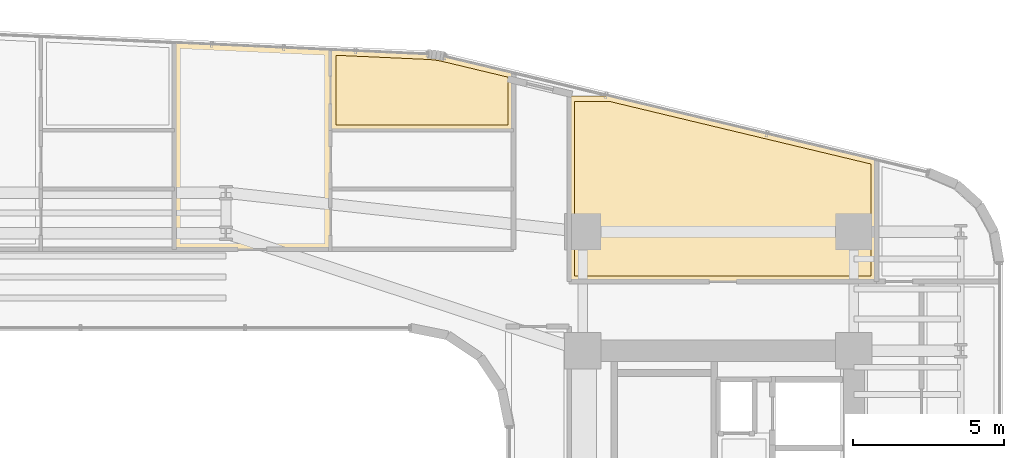
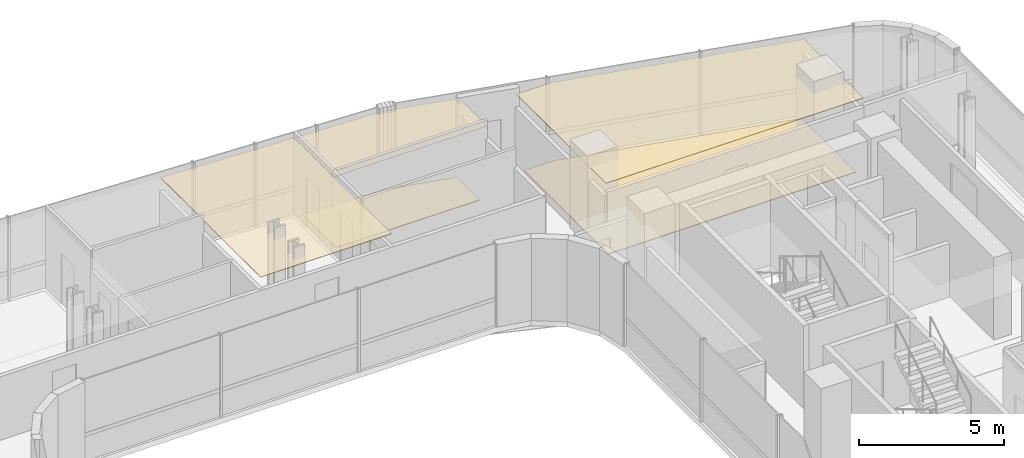
# One storey, part 38 of 38: 5 coverings.
"""IFC4 building model written with IfcOpenShell, lengths in metres."""

from ifc_helpers import new_model, si_unit, direction, frame, origin, place, context, subcontext, project, spatial, polyline, outline, extrude, material, layer, layer_set, type_object, element, save


model = new_model("IFC4")

# Units and contexts
model_context = context("Model", 3, precision=1e-05, world=origin(), true_north=direction((0.0, 1.0)))
body_context = subcontext(model_context, "Body", "Model", "MODEL_VIEW")
ifc_project = project(units=[si_unit("LENGTHUNIT", "METRE"), si_unit("AREAUNIT", "SQUARE_METRE"), si_unit("VOLUMEUNIT", "CUBIC_METRE"), si_unit("PLANEANGLEUNIT", "RADIAN"), si_unit("MASSUNIT", "GRAM", prefix="KILO")], contexts=[model_context])

# Site, building, storey
site_placement = place(None, origin())
site = spatial("IfcSite", under=ifc_project, at=site_placement, CompositionType="ELEMENT")
building_placement = place(site_placement, origin())
building = spatial("IfcBuilding", under=site, at=building_placement, Name="Valdorenza Pilgrim Sanctuary Tower", CompositionType="ELEMENT")
storey_placement = place(building_placement, frame((0.0, 0.0, 131.60009765625)))
storey = spatial("IfcBuildingStorey", under=building, at=storey_placement, Name="L33", CompositionType="ELEMENT", Elevation=131.60009765625)

# Coverings
ifc_material_1 = material(Name="Micro-perforated acoustic mineral ceiling tile", Category="gypsum")
ifc_layer_1 = layer(ifc_material_1, 0.02490234375, Name="Micro-perforated acoustic mineral ceiling tile")
ifc_layer_set_1 = layer_set([ifc_layer_1], Name="Micro-perforated acoustic mineral ceiling tile")
covering_type_1 = type_object("IfcCoveringType", Name="COV-CLG-ACU", PredefinedType="CEILING", material=ifc_layer_set_1)
covering_1_placement = place(storey_placement, frame((0.0, 0.0, 3.159912109375)))
element("IfcCovering", 1, at=covering_1_placement, inside=storey, type_object=covering_type_1, Name="L33 North Sanctuary Apartment L33-N4 Bedroom Acoustic Ceiling", PredefinedType="CEILING", context=body_context, shape_type="SweptSolid", body=[
    extrude(outline(polyline([(7.468017578125, 16.85498046875), (7.466552734375, 16.85498046875), (7.465087890625, 16.855224609375), (7.463623046875, 16.855712890625), (7.46240234375, 16.856201171875), (7.4609375, 16.856689453125), (7.459716796875, 16.857421875), (7.45849609375, 16.8583984375), (7.45751953125, 16.859375), (7.456298828125, 16.860595703125), (7.45556640625, 16.86181640625), (7.454833984375, 16.86279296875), (7.4541015625, 16.8642578125), (7.45361328125, 16.865478515625), (7.453369140625, 16.8671875), (7.453125, 16.868408203125), (7.452880859375, 16.8701171875), (7.452880859375, 19.55029296875), (7.453125, 19.552001953125), (7.453369140625, 19.553466796875), (7.45361328125, 19.554931640625), (7.4541015625, 19.556396484375), (7.454833984375, 19.5576171875), (7.455810546875, 19.55908203125), (7.45654296875, 19.560302734375), (7.45751953125, 19.561279296875), (7.458740234375, 19.562255859375), (7.4599609375, 19.56298828125), (7.461181640625, 19.56396484375), (7.462646484375, 19.564453125), (7.464111328125, 19.56494140625), (7.4658203125, 19.565185546875), (7.46728515625, 19.5654296875), (7.46875, 19.5654296875), (10.690673828125, 19.4189453125), (10.69091796875, 19.4189453125), (10.838134765625, 19.40869140625), (10.8388671875, 19.40869140625), (10.984375, 19.3916015625), (10.985107421875, 19.3916015625), (11.12939453125, 19.36767578125), (11.130126953125, 19.36767578125), (11.274658203125, 19.336669921875), (11.27490234375, 19.33642578125), (13.553466796875, 18.791015625), (13.554931640625, 18.790771484375), (13.55615234375, 18.790283203125), (13.5576171875, 18.78955078125), (13.55859375, 18.788818359375), (13.559814453125, 18.787841796875), (13.560791015625, 18.786865234375), (13.561767578125, 18.785888671875), (13.5625, 18.78466796875), (13.563232421875, 18.783447265625), (13.56396484375, 18.781982421875), (13.564453125, 18.78076171875), (13.564697265625, 18.779296875), (13.56494140625, 18.778076171875), (13.56494140625, 18.776611328125), (13.56494140625, 16.8701171875), (13.56494140625, 16.868408203125), (13.564697265625, 16.8671875), (13.564453125, 16.865478515625), (13.56396484375, 16.8642578125), (13.563232421875, 16.86279296875), (13.5625, 16.86181640625), (13.5615234375, 16.860595703125), (13.560546875, 16.859375), (13.5595703125, 16.8583984375), (13.558349609375, 16.857421875), (13.55712890625, 16.856689453125), (13.5556640625, 16.856201171875), (13.554443359375, 16.855712890625), (13.552978515625, 16.855224609375), (13.551513671875, 16.85498046875), (13.550048828125, 16.85498046875), (7.468017578125, 16.85498046875)])), origin(), (0.0, 0.0, 1.0), 0.02490234375),
])
covering_2_placement = place(storey_placement, frame((0.0, 0.0, 3.159912109375)))
element("IfcCovering", 2, at=covering_2_placement, inside=storey, type_object=covering_type_1, Name="L33 North Sanctuary Apartment L33-N4 Living Room Acoustic Ceiling", PredefinedType="CEILING", context=body_context, shape_type="SweptSolid", body=[
    extrude(outline(polyline([(2.27392578125, 14.918212890625), (2.27392578125, 14.9189453125), (2.273681640625, 14.92041015625), (2.273681640625, 14.922119140625), (2.27392578125, 14.923583984375), (2.27392578125, 14.923828125), (2.27392578125, 16.8662109375), (2.27392578125, 16.866943359375), (2.273681640625, 16.868408203125), (2.273681640625, 16.8701171875), (2.27392578125, 16.87158203125), (2.27392578125, 16.871826171875), (2.27392578125, 19.785888671875), (2.274169921875, 19.787353515625), (2.2744140625, 19.788818359375), (2.274658203125, 19.790283203125), (2.275146484375, 19.791748046875), (2.27587890625, 19.793212890625), (2.276611328125, 19.79443359375), (2.277587890625, 19.795654296875), (2.278564453125, 19.796630859375), (2.27978515625, 19.797607421875), (2.281005859375, 19.798583984375), (2.2822265625, 19.79931640625), (2.28369140625, 19.7998046875), (2.28515625, 19.80029296875), (2.28662109375, 19.800537109375), (2.2880859375, 19.80078125), (2.289794921875, 19.80078125), (7.466796875, 19.5654296875), (7.468017578125, 19.5654296875), (7.469482421875, 19.565185546875), (7.470947265625, 19.564697265625), (7.47216796875, 19.564208984375), (7.473388671875, 19.5634765625), (7.474609375, 19.562744140625), (7.475830078125, 19.56201171875), (7.476806640625, 19.560791015625), (7.477783203125, 19.559814453125), (7.478515625, 19.55859375), (7.479248046875, 19.557373046875), (7.47998046875, 19.55615234375), (7.48046875, 19.5546875), (7.480712890625, 19.553466796875), (7.48095703125, 19.552001953125), (7.48095703125, 19.550537109375), (7.48095703125, 16.87548828125), (7.481201171875, 16.875), (7.48193359375, 16.87353515625), (7.482421875, 16.872314453125), (7.482666015625, 16.870849609375), (7.48291015625, 16.869384765625), (7.48291015625, 16.867919921875), (7.48291015625, 12.919921875), (7.48291015625, 12.91845703125), (7.482666015625, 12.9169921875), (7.482421875, 12.91552734375), (7.48193359375, 12.914306640625), (7.481201171875, 12.912841796875), (7.48046875, 12.91162109375), (7.4794921875, 12.910400390625), (7.478515625, 12.909423828125), (7.4775390625, 12.908447265625), (7.476318359375, 12.907470703125), (7.47509765625, 12.90673828125), (7.4736328125, 12.906005859375), (7.472412109375, 12.905517578125), (7.470947265625, 12.9052734375), (7.469482421875, 12.905029296875), (7.468017578125, 12.905029296875), (2.2890625, 12.905029296875), (2.28759765625, 12.905029296875), (2.2861328125, 12.9052734375), (2.28466796875, 12.905517578125), (2.283203125, 12.906005859375), (2.281982421875, 12.90673828125), (2.28076171875, 12.907470703125), (2.279541015625, 12.908447265625), (2.2783203125, 12.909423828125), (2.27734375, 12.910400390625), (2.276611328125, 12.91162109375), (2.27587890625, 12.912841796875), (2.275146484375, 12.914306640625), (2.274658203125, 12.91552734375), (2.2744140625, 12.9169921875), (2.274169921875, 12.91845703125), (2.27392578125, 12.919921875), (2.27392578125, 14.918212890625)])), origin(), (0.0, 0.0, 1.0), 0.02490234375),
])
covering_3_placement = place(storey_placement, frame((0.0, 0.0, 3.159912109375)))
element("IfcCovering", 3, at=covering_3_placement, inside=storey, type_object=covering_type_1, Name="L33 Curator Research Office L33-BN1 Acoustic Ceiling", PredefinedType="CEILING", context=body_context, shape_type="SweptSolid", body=[
    extrude(outline(polyline([(15.39990234375, 11.8349609375), (15.3984375, 11.835205078125), (15.397216796875, 11.835205078125), (15.3955078125, 11.835693359375), (15.394287109375, 11.836181640625), (15.392822265625, 11.8369140625), (15.3916015625, 11.83740234375), (15.390380859375, 11.83837890625), (15.389404296875, 11.83935546875), (15.388427734375, 11.840576171875), (15.387451171875, 11.841796875), (15.38671875, 11.843017578125), (15.385986328125, 11.84423828125), (15.385498046875, 11.845703125), (15.38525390625, 11.84716796875), (15.385009765625, 11.848388671875), (15.385009765625, 11.85009765625), (15.385009765625, 18.0), (15.385009765625, 18.00146484375), (15.38525390625, 18.0029296875), (15.385498046875, 18.00439453125), (15.385986328125, 18.005615234375), (15.38671875, 18.007080078125), (15.387451171875, 18.00830078125), (15.388427734375, 18.009521484375), (15.389404296875, 18.010498046875), (15.390380859375, 18.01171875), (15.3916015625, 18.012451171875), (15.392822265625, 18.01318359375), (15.394287109375, 18.013916015625), (15.3955078125, 18.014404296875), (15.397216796875, 18.0146484375), (15.3984375, 18.014892578125), (15.39990234375, 18.014892578125), (16.794189453125, 18.014892578125), (16.7958984375, 18.014892578125), (16.797607421875, 18.0146484375), (25.603515625, 15.90673828125), (25.60498046875, 15.906494140625), (25.606201171875, 15.906005859375), (25.607421875, 15.9052734375), (25.608642578125, 15.904541015625), (25.60986328125, 15.903564453125), (25.61083984375, 15.902587890625), (25.61181640625, 15.901611328125), (25.612548828125, 15.900390625), (25.61328125, 15.899169921875), (25.614013671875, 15.897705078125), (25.614501953125, 15.896484375), (25.61474609375, 15.89501953125), (25.614990234375, 15.893798828125), (25.614990234375, 15.892333984375), (25.614990234375, 11.85009765625), (25.614990234375, 11.848388671875), (25.61474609375, 11.84716796875), (25.614501953125, 11.845703125), (25.614013671875, 11.84423828125), (25.61328125, 11.843017578125), (25.612548828125, 11.841796875), (25.611572265625, 11.840576171875), (25.610595703125, 11.83935546875), (25.609619140625, 11.83837890625), (25.6083984375, 11.83740234375), (25.607177734375, 11.8369140625), (25.605712890625, 11.836181640625), (25.6044921875, 11.835693359375), (25.602783203125, 11.835205078125), (25.6015625, 11.835205078125), (25.60009765625, 11.8349609375), (15.39990234375, 11.8349609375)])), origin(), (0.0, 0.0, 1.0), 0.02490234375),
])
ifc_material_2 = material(Name="Engineered European oak timber flooring", Category="wood")
ifc_layer_2 = layer(ifc_material_2, 0.02197265625, Name="Engineered European oak timber flooring")
ifc_layer_set_2 = layer_set([ifc_layer_2], Name="Engineered European oak timber flooring")
covering_type_2 = type_object("IfcCoveringType", Name="COV-FLR-OAK", PredefinedType="FLOORING", material=ifc_layer_set_2)
covering_4_placement = place(storey_placement, origin())
element("IfcCovering", 4, at=covering_4_placement, inside=storey, type_object=covering_type_2, Name="L33 North Sanctuary Apartment L33-N4 Bedroom Flooring", PredefinedType="FLOORING", context=body_context, shape_type="SweptSolid", body=[
    extrude(outline(polyline([(7.64794921875, 17.050048828125), (7.64794921875, 19.362060546875), (10.6796875, 19.224365234375), (10.820556640625, 19.214599609375), (10.95751953125, 19.198486328125), (11.093505859375, 19.176025390625), (11.231689453125, 19.146484375), (13.3701171875, 18.634521484375), (13.3701171875, 17.050048828125), (7.64794921875, 17.050048828125)])), origin(), (0.0, 0.0, 1.0), 0.02490234375),
])
ifc_material_3 = material(Name="Honed travertine stone flooring", Category="masonry")
ifc_layer_3 = layer(ifc_material_3, 0.030029296875, Name="Honed travertine stone flooring")
ifc_layer_set_3 = layer_set([ifc_layer_3], Name="Honed travertine stone flooring")
covering_type_3 = type_object("IfcCoveringType", Name="COV-FLR-TRV", PredefinedType="FLOORING", material=ifc_layer_set_3)
covering_5_placement = place(storey_placement, origin())
element("IfcCovering", 5, at=covering_5_placement, inside=storey, type_object=covering_type_3, Name="L33 Curator Research Office L33-BN1 Flooring", PredefinedType="FLOORING", context=body_context, shape_type="SweptSolid", body=[
    extrude(outline(polyline([(15.580078125, 12.030029296875), (15.580078125, 17.820068359375), (16.77294921875, 17.820068359375), (25.419921875, 15.750244140625), (25.419921875, 12.030029296875), (15.580078125, 12.030029296875)])), origin(), (0.0, 0.0, 1.0), 0.02490234375),
])

save(model, "model.ifc")
